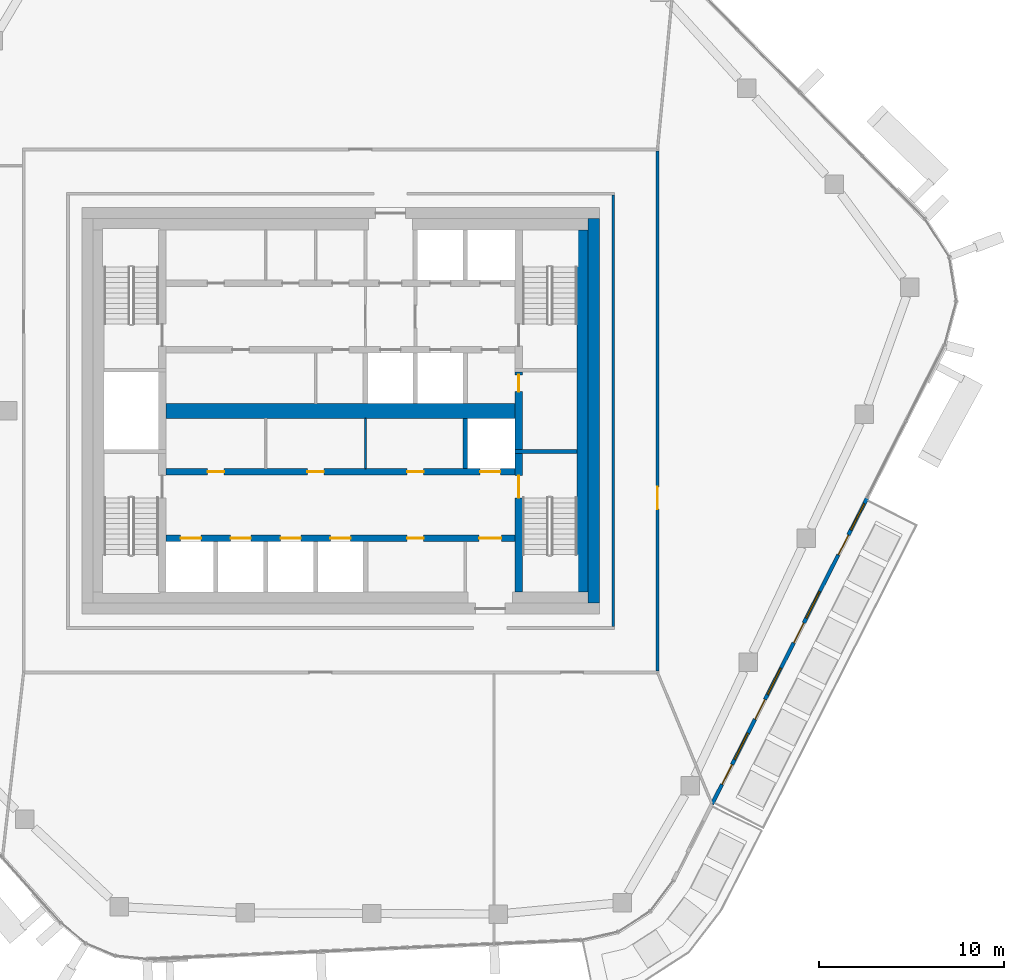
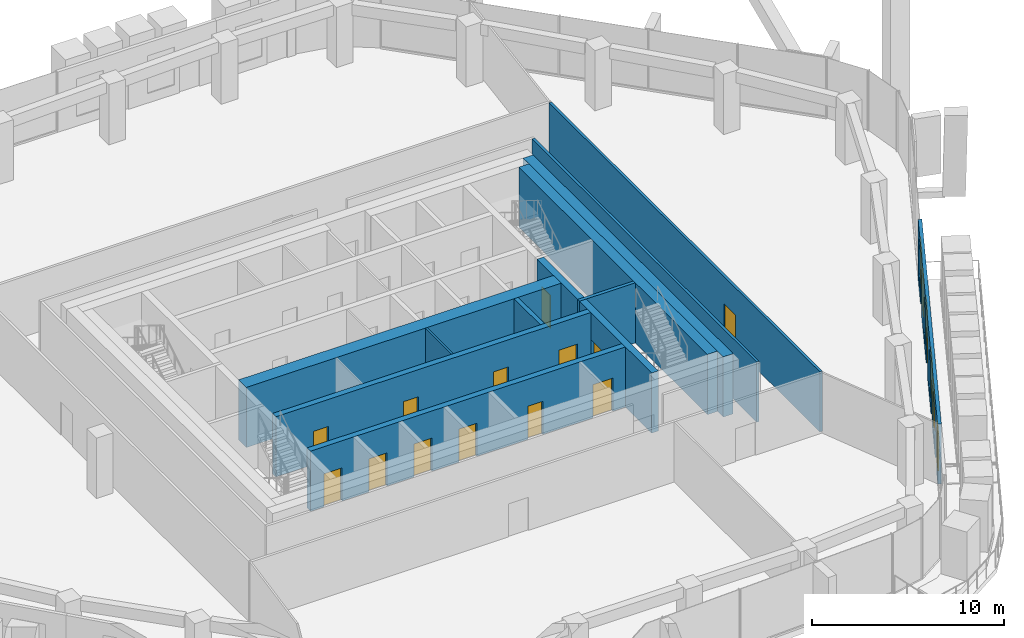
# One storey, part 13 of 23: 17 doors, 13 walls, 4 windows, 21 openings.
"""IFC4 building model written with IfcOpenShell, lengths in metres."""

from ifc_helpers import new_model, si_unit, direction, frame, frame_2d, origin, place, context, subcontext, project, spatial, rectangle, extrude, material, layer, layer_set, type_object, element, fill, save


model = new_model("IFC4")

# Units and contexts
model_context = context("Model", 3, precision=1e-05, world=origin(), true_north=direction((0.0, 1.0)))
body_context = subcontext(model_context, "Body", "Model", "MODEL_VIEW")
ifc_project = project(units=[si_unit("LENGTHUNIT", "METRE"), si_unit("AREAUNIT", "SQUARE_METRE"), si_unit("VOLUMEUNIT", "CUBIC_METRE"), si_unit("PLANEANGLEUNIT", "RADIAN"), si_unit("MASSUNIT", "GRAM", prefix="KILO")], contexts=[model_context])

# Site, building, storey
site_placement = place(None, origin())
site = spatial("IfcSite", under=ifc_project, at=site_placement, CompositionType="ELEMENT")
building_placement = place(site_placement, origin())
building = spatial("IfcBuilding", under=site, at=building_placement, Name="Dongbaek Canopy Tower", CompositionType="ELEMENT")
storey_placement = place(building_placement, frame((0.0, 0.0, 319.39990234375)))
storey = spatial("IfcBuildingStorey", under=building, at=storey_placement, Name="L68", CompositionType="ELEMENT", Elevation=319.39990234375)

# Wall
ifc_material_1 = material(Name="Concrete C60/75", Category="concrete")
ifc_layer_1 = layer(ifc_material_1, 0.800048828125)
ifc_layer_set_1 = layer_set([ifc_layer_1], Name="Core central wall 800 Concrete C60/75")
wall_type_1 = type_object("IfcWallType", Name="Core central wall 800 Concrete C60/75", PredefinedType="SHEAR", material=ifc_layer_set_1)
wall_1_placement = place(storey_placement, frame((-9.449951171875, 0.0, 0.0), z_axis=(0.0, 0.0, 1.0), x_axis=(1.0, 0.0, 0.0)))
element("IfcWall", 1, at=wall_1_placement, inside=storey, type_object=wall_type_1, Name="Core wall", PredefinedType="SHEAR", context=body_context, shape_type="SweptSolid", body=[
    extrude(rectangle(XDim=18.89990234375, YDim=0.800048828125, at=frame_2d((9.449951171875, 0.0))), origin(), (0.0, 0.0, 1.0), 3.820068359375),
])

# Wall, openings, doors
ifc_material_2 = material(Name="Concrete C60/75", Category="concrete")
ifc_layer_2 = layer(ifc_material_2, 0.35009765625)
ifc_layer_set_2 = layer_set([ifc_layer_2], Name="Core lobby wall 350 Concrete C60/75")
wall_type_2 = type_object("IfcWallType", Name="Core lobby wall 350 Concrete C60/75", PredefinedType="SHEAR", material=ifc_layer_set_2)
wall_2_placement = place(storey_placement, frame((-9.449951171875, -3.300048828125, 0.0), z_axis=(0.0, 0.0, 1.0), x_axis=(1.0, 0.0, 0.0)))
wall_2 = element("IfcWall", 2, at=wall_2_placement, inside=storey, type_object=wall_type_2, Name="Core wall", PredefinedType="SHEAR", context=body_context, shape_type="SweptSolid", body=[
    extrude(rectangle(XDim=18.89990234375, YDim=0.35009765625, at=frame_2d((9.449951171875, 0.0))), origin(), (0.0, 0.0, 1.0), 3.820068359375),
])
opening_1_placement = place(wall_2_placement, frame((17.0, 0.0, 0.0)))
opening_1 = element("IfcOpeningElement", 3, at=opening_1_placement, cuts=wall_2, Name="Opening L68-D014", PredefinedType="OPENING", context=body_context, shape_type="SweptSolid", body=[
    extrude(rectangle(XDim=1.10009765625, YDim=2.10009765625, at=frame_2d((0.550048828125, 1.050048828125))), frame((0.0, 0.18505859375, 0.0), z_axis=(0.0, -1.0, 0.0), x_axis=(1.0, 0.0, 0.0)), (0.0, 0.0, 1.0), 0.3701171875),
])
opening_2_placement = place(wall_2_placement, frame((2.25, 0.0, 0.0)))
opening_2 = element("IfcOpeningElement", 4, at=opening_2_placement, cuts=wall_2, Name="Opening L68-D026", PredefinedType="OPENING", context=body_context, shape_type="SweptSolid", body=[
    extrude(rectangle(XDim=0.89990234375, YDim=2.10009765625, at=frame_2d((0.449951171875, 1.050048828125))), frame((0.0, 0.18505859375, 0.0), z_axis=(0.0, -1.0, 0.0), x_axis=(1.0, 0.0, 0.0)), (0.0, 0.0, 1.0), 0.3701171875),
])
opening_3_placement = place(wall_2_placement, frame((7.64990234375, 0.0, 0.0)))
opening_3 = element("IfcOpeningElement", 5, at=opening_3_placement, cuts=wall_2, Name="Opening L68-D027", PredefinedType="OPENING", context=body_context, shape_type="SweptSolid", body=[
    extrude(rectangle(XDim=0.89990234375, YDim=2.10009765625, at=frame_2d((0.449951171875, 1.050048828125))), frame((0.0, 0.18505859375, 0.0), z_axis=(0.0, -1.0, 0.0), x_axis=(1.0, 0.0, 0.0)), (0.0, 0.0, 1.0), 0.3701171875),
])
opening_4_placement = place(wall_2_placement, frame((13.050048828125, 0.0, 0.0)))
opening_4 = element("IfcOpeningElement", 6, at=opening_4_placement, cuts=wall_2, Name="Opening L68-D028", PredefinedType="OPENING", context=body_context, shape_type="SweptSolid", body=[
    extrude(rectangle(XDim=0.89990234375, YDim=2.10009765625, at=frame_2d((0.449951171875, 1.050048828125))), frame((0.0, 0.18505859375, 0.0), z_axis=(0.0, -1.0, 0.0), x_axis=(1.0, 0.0, 0.0)), (0.0, 0.0, 1.0), 0.3701171875),
])
ifc_material_3 = material(Name="Steel", Category="steel")
door_type_1 = type_object("IfcDoorType", Name="Core room door 900 x 2100", OperationType="SINGLE_SWING_LEFT", PredefinedType="DOOR", material=ifc_material_3)
door_1_placement = place(opening_2_placement, origin())
door_1 = element("IfcDoor", 7, at=door_1_placement, inside=storey, type_object=door_type_1, Name="Door L68-D026", OperationType="SINGLE_SWING_LEFT", OverallHeight=2.10009765625, OverallWidth=0.89990234375, PredefinedType="DOOR", context=body_context, shape_type="SweptSolid", body=[
    extrude(rectangle(XDim=0.89990234375, YDim=2.10009765625, at=frame_2d((0.449951171875, 1.050048828125))), frame((0.0, 0.02490234375, 0.0), z_axis=(0.0, -1.0, 0.0), x_axis=(1.0, 0.0, 0.0)), (0.0, 0.0, 1.0), 0.050048828125),
])
fill(opening_2, door_1)
door_2_placement = place(opening_3_placement, origin())
door_2 = element("IfcDoor", 8, at=door_2_placement, inside=storey, type_object=door_type_1, Name="Door L68-D027", OperationType="SINGLE_SWING_RIGHT", OverallHeight=2.10009765625, OverallWidth=0.89990234375, PredefinedType="DOOR", context=body_context, shape_type="SweptSolid", body=[
    extrude(rectangle(XDim=0.89990234375, YDim=2.10009765625, at=frame_2d((0.449951171875, 1.050048828125))), frame((0.0, 0.02490234375, 0.0), z_axis=(0.0, -1.0, 0.0), x_axis=(1.0, 0.0, 0.0)), (0.0, 0.0, 1.0), 0.050048828125),
])
fill(opening_3, door_2)
door_3_placement = place(opening_4_placement, origin())
door_3 = element("IfcDoor", 9, at=door_3_placement, inside=storey, type_object=door_type_1, Name="Door L68-D028", OperationType="SINGLE_SWING_LEFT", OverallHeight=2.10009765625, OverallWidth=0.89990234375, PredefinedType="DOOR", context=body_context, shape_type="SweptSolid", body=[
    extrude(rectangle(XDim=0.89990234375, YDim=2.10009765625, at=frame_2d((0.449951171875, 1.050048828125))), frame((0.0, 0.02490234375, 0.0), z_axis=(0.0, -1.0, 0.0), x_axis=(1.0, 0.0, 0.0)), (0.0, 0.0, 1.0), 0.050048828125),
])
fill(opening_4, door_3)
ifc_material_4 = material(Name="Stainless steel", Category="steel")
door_type_2 = type_object("IfcDoorType", Name="Lift landing door 1100 x 2100", OperationType="DOUBLE_DOOR_SLIDING", PredefinedType="DOOR", material=ifc_material_4)
door_4_placement = place(opening_1_placement, origin())
door_4 = element("IfcDoor", 10, at=door_4_placement, inside=storey, type_object=door_type_2, Name="Landing door SV2", OperationType="DOUBLE_DOOR_SLIDING", OverallHeight=2.10009765625, OverallWidth=1.10009765625, PredefinedType="DOOR", context=body_context, shape_type="SweptSolid", body=[
    extrude(rectangle(XDim=1.10009765625, YDim=2.10009765625, at=frame_2d((0.550048828125, 1.050048828125))), frame((0.0, 0.02490234375, 0.0), z_axis=(0.0, -1.0, 0.0), x_axis=(1.0, 0.0, 0.0)), (0.0, 0.0, 1.0), 0.050048828125),
])
fill(opening_1, door_4)

wall_3_placement = place(storey_placement, frame((9.449951171875, -6.89990234375, 0.0), z_axis=(0.0, 0.0, 1.0), x_axis=(-1.0, 0.0, 0.0)))
wall_3 = element("IfcWall", 11, at=wall_3_placement, inside=storey, type_object=wall_type_2, Name="Core wall", PredefinedType="SHEAR", context=body_context, shape_type="SweptSolid", body=[
    extrude(rectangle(XDim=18.89990234375, YDim=0.35009765625, at=frame_2d((9.449951171875, 0.0))), origin(), (0.0, 0.0, 1.0), 3.820068359375),
])
opening_5_placement = place(wall_3_placement, frame((17.0, 0.0, 0.0)))
opening_5 = element("IfcOpeningElement", 12, at=opening_5_placement, cuts=wall_3, Name="Opening L68-D015", PredefinedType="OPENING", context=body_context, shape_type="SweptSolid", body=[
    extrude(rectangle(XDim=1.10009765625, YDim=2.10009765625, at=frame_2d((0.550048828125, 1.050048828125))), frame((0.0, 0.18505859375, 0.0), z_axis=(0.0, -1.0, 0.0), x_axis=(1.0, 0.0, 0.0)), (0.0, 0.0, 1.0), 0.3701171875),
])
opening_6_placement = place(wall_3_placement, frame((14.300048828125, 0.0, 0.0)))
opening_6 = element("IfcOpeningElement", 13, at=opening_6_placement, cuts=wall_3, Name="Opening L68-D016", PredefinedType="OPENING", context=body_context, shape_type="SweptSolid", body=[
    extrude(rectangle(XDim=1.10009765625, YDim=2.10009765625, at=frame_2d((0.550048828125, 1.050048828125))), frame((0.0, 0.18505859375, 0.0), z_axis=(0.0, -1.0, 0.0), x_axis=(1.0, 0.0, 0.0)), (0.0, 0.0, 1.0), 0.3701171875),
])
opening_7_placement = place(wall_3_placement, frame((11.60009765625, 0.0, 0.0)))
opening_7 = element("IfcOpeningElement", 14, at=opening_7_placement, cuts=wall_3, Name="Opening L68-D017", PredefinedType="OPENING", context=body_context, shape_type="SweptSolid", body=[
    extrude(rectangle(XDim=1.10009765625, YDim=2.10009765625, at=frame_2d((0.550048828125, 1.050048828125))), frame((0.0, 0.18505859375, 0.0), z_axis=(0.0, -1.0, 0.0), x_axis=(1.0, 0.0, 0.0)), (0.0, 0.0, 1.0), 0.3701171875),
])
opening_8_placement = place(wall_3_placement, frame((8.89990234375, 0.0, 0.0)))
opening_8 = element("IfcOpeningElement", 15, at=opening_8_placement, cuts=wall_3, Name="Opening L68-D018", PredefinedType="OPENING", context=body_context, shape_type="SweptSolid", body=[
    extrude(rectangle(XDim=1.10009765625, YDim=2.10009765625, at=frame_2d((0.550048828125, 1.050048828125))), frame((0.0, 0.18505859375, 0.0), z_axis=(0.0, -1.0, 0.0), x_axis=(1.0, 0.0, 0.0)), (0.0, 0.0, 1.0), 0.3701171875),
])
opening_9_placement = place(wall_3_placement, frame((0.75, 0.0, 0.0)))
opening_9 = element("IfcOpeningElement", 16, at=opening_9_placement, cuts=wall_3, Name="Opening L68-D020", PredefinedType="OPENING", context=body_context, shape_type="SweptSolid", body=[
    extrude(rectangle(XDim=1.199951171875, YDim=2.10009765625, at=frame_2d((0.60009765625, 1.050048828125))), frame((0.0, 0.18505859375, 0.0), z_axis=(0.0, -1.0, 0.0), x_axis=(1.0, 0.0, 0.0)), (0.0, 0.0, 1.0), 0.3701171875),
])
opening_10_placement = place(wall_3_placement, frame((4.949951171875, 0.0, 0.0)))
opening_10 = element("IfcOpeningElement", 17, at=opening_10_placement, cuts=wall_3, Name="Opening L68-D029", PredefinedType="OPENING", context=body_context, shape_type="SweptSolid", body=[
    extrude(rectangle(XDim=0.89990234375, YDim=2.10009765625, at=frame_2d((0.449951171875, 1.050048828125))), frame((0.0, 0.18505859375, 0.0), z_axis=(0.0, -1.0, 0.0), x_axis=(1.0, 0.0, 0.0)), (0.0, 0.0, 1.0), 0.3701171875),
])
door_5_placement = place(opening_10_placement, origin())
door_5 = element("IfcDoor", 18, at=door_5_placement, inside=storey, type_object=door_type_1, Name="Door L68-D029", OperationType="SINGLE_SWING_RIGHT", OverallHeight=2.10009765625, OverallWidth=0.89990234375, PredefinedType="DOOR", context=body_context, shape_type="SweptSolid", body=[
    extrude(rectangle(XDim=0.89990234375, YDim=2.10009765625, at=frame_2d((0.449951171875, 1.050048828125))), frame((0.0, 0.02490234375, 0.0), z_axis=(0.0, -1.0, 0.0), x_axis=(1.0, 0.0, 0.0)), (0.0, 0.0, 1.0), 0.050048828125),
])
fill(opening_10, door_5)
ifc_material_5 = material(Name="Steel", Category="steel")
door_type_3 = type_object("IfcDoorType", Name="Fire lobby door 1200 x 2100", OperationType="SINGLE_SWING_LEFT", PredefinedType="DOOR", material=ifc_material_5)
door_6_placement = place(opening_9_placement, origin())
door_6 = element("IfcDoor", 19, at=door_6_placement, inside=storey, type_object=door_type_3, Name="Door L68-D020", OperationType="SINGLE_SWING_LEFT", OverallHeight=2.10009765625, OverallWidth=1.199951171875, PredefinedType="DOOR", context=body_context, shape_type="SweptSolid", body=[
    extrude(rectangle(XDim=1.199951171875, YDim=2.10009765625, at=frame_2d((0.60009765625, 1.050048828125))), frame((0.0, 0.02490234375, 0.0), z_axis=(0.0, -1.0, 0.0), x_axis=(1.0, 0.0, 0.0)), (0.0, 0.0, 1.0), 0.050048828125),
])
fill(opening_9, door_6)
door_7_placement = place(opening_5_placement, origin())
door_7 = element("IfcDoor", 20, at=door_7_placement, inside=storey, type_object=door_type_2, Name="Landing door HR1", OperationType="DOUBLE_DOOR_SLIDING", OverallHeight=2.10009765625, OverallWidth=1.10009765625, PredefinedType="DOOR", context=body_context, shape_type="SweptSolid", body=[
    extrude(rectangle(XDim=1.10009765625, YDim=2.10009765625, at=frame_2d((0.550048828125, 1.050048828125))), frame((0.0, 0.02490234375, 0.0), z_axis=(0.0, -1.0, 0.0), x_axis=(1.0, 0.0, 0.0)), (0.0, 0.0, 1.0), 0.050048828125),
])
fill(opening_5, door_7)
door_8_placement = place(opening_6_placement, origin())
door_8 = element("IfcDoor", 21, at=door_8_placement, inside=storey, type_object=door_type_2, Name="Landing door HR2", OperationType="DOUBLE_DOOR_SLIDING", OverallHeight=2.10009765625, OverallWidth=1.10009765625, PredefinedType="DOOR", context=body_context, shape_type="SweptSolid", body=[
    extrude(rectangle(XDim=1.10009765625, YDim=2.10009765625, at=frame_2d((0.550048828125, 1.050048828125))), frame((0.0, 0.02490234375, 0.0), z_axis=(0.0, -1.0, 0.0), x_axis=(1.0, 0.0, 0.0)), (0.0, 0.0, 1.0), 0.050048828125),
])
fill(opening_6, door_8)
door_9_placement = place(opening_7_placement, origin())
door_9 = element("IfcDoor", 22, at=door_9_placement, inside=storey, type_object=door_type_2, Name="Landing door HR3", OperationType="DOUBLE_DOOR_SLIDING", OverallHeight=2.10009765625, OverallWidth=1.10009765625, PredefinedType="DOOR", context=body_context, shape_type="SweptSolid", body=[
    extrude(rectangle(XDim=1.10009765625, YDim=2.10009765625, at=frame_2d((0.550048828125, 1.050048828125))), frame((0.0, 0.02490234375, 0.0), z_axis=(0.0, -1.0, 0.0), x_axis=(1.0, 0.0, 0.0)), (0.0, 0.0, 1.0), 0.050048828125),
])
fill(opening_7, door_9)
door_10_placement = place(opening_8_placement, origin())
door_10 = element("IfcDoor", 23, at=door_10_placement, inside=storey, type_object=door_type_2, Name="Landing door HR4", OperationType="DOUBLE_DOOR_SLIDING", OverallHeight=2.10009765625, OverallWidth=1.10009765625, PredefinedType="DOOR", context=body_context, shape_type="SweptSolid", body=[
    extrude(rectangle(XDim=1.10009765625, YDim=2.10009765625, at=frame_2d((0.550048828125, 1.050048828125))), frame((0.0, 0.02490234375, 0.0), z_axis=(0.0, -1.0, 0.0), x_axis=(1.0, 0.0, 0.0)), (0.0, 0.0, 1.0), 0.050048828125),
])
fill(opening_8, door_10)

# Walls
ifc_material_6 = material(Name="Concrete C80/95", Category="concrete")
ifc_layer_3 = layer(ifc_material_6, 0.60009765625)
ifc_layer_set_3 = layer_set([ifc_layer_3], Name="Core outer wall 600 Concrete C80/95")
wall_type_3 = type_object("IfcWallType", Name="Core outer wall 600 Concrete C80/95", PredefinedType="SHEAR", material=ifc_layer_set_3)
wall_4_placement = place(storey_placement, frame((13.699951171875, 10.39990234375, 0.0), z_axis=(0.0, 0.0, 1.0), x_axis=(0.0, -1.0, 0.0)))
element("IfcWall", 24, at=wall_4_placement, inside=storey, type_object=wall_type_3, Name="Core wall", PredefinedType="SHEAR", context=body_context, shape_type="SweptSolid", body=[
    extrude(rectangle(XDim=20.7998046875, YDim=0.60009765625, at=frame_2d((10.39990234375, 0.0))), origin(), (0.0, 0.0, 1.0), 3.820068359375),
])
ifc_material_7 = material(Name="Concrete C60/75", Category="concrete")
ifc_layer_4 = layer(ifc_material_7, 0.60009765625)
ifc_layer_set_4 = layer_set([ifc_layer_4], Name="Core wall lining 600 Concrete C60/75")
wall_type_4 = type_object("IfcWallType", Name="Core wall lining 600 Concrete C60/75", PredefinedType="SHEAR", material=ifc_layer_set_4)
wall_5_placement = place(storey_placement, frame((13.10009765625, 9.800048828125, 0.0), z_axis=(0.0, 0.0, 1.0), x_axis=(0.0, -1.0, 0.0)))
element("IfcWall", 25, at=wall_5_placement, inside=storey, type_object=wall_type_4, Name="Core wall lining", PredefinedType="SHEAR", context=body_context, shape_type="SweptSolid", body=[
    extrude(rectangle(XDim=19.60009765625, YDim=0.60009765625, at=frame_2d((9.800048828125, 0.0))), origin(), (0.0, 0.0, 1.0), 3.820068359375),
])

# Wall, opening, door
ifc_material_8 = material(Name="Gypsum board partition, steel stud, 2 x 15 mm fire board", Category="steel")
ifc_layer_5 = layer(ifc_material_8, 0.14990234375)
ifc_layer_set_5 = layer_set([ifc_layer_5], Name="Fire-rated partition 150 gypsum board")
wall_type_5 = type_object("IfcWallType", Name="Fire-rated partition 150 gypsum board", PredefinedType="PARTITIONING", material=ifc_layer_set_5)
wall_6_placement = place(storey_placement, frame((17.14990234375, 14.074951171875, 0.0), z_axis=(0.0, 0.0, 1.0), x_axis=(0.0, -1.0, 0.0)))
wall_6 = element("IfcWall", 26, at=wall_6_placement, inside=storey, type_object=wall_type_5, Name="Corridor partition", PredefinedType="PARTITIONING", context=body_context, shape_type="SweptSolid", body=[
    extrude(rectangle(XDim=28.14990234375, YDim=0.14990234375, at=frame_2d((14.074951171875, 0.0))), origin(), (0.0, 0.0, 1.0), 3.820068359375),
])
opening_11_placement = place(wall_6_placement, frame((18.185791015625, 0.0, 0.0)))
opening_11 = element("IfcOpeningElement", 27, at=opening_11_placement, cuts=wall_6, Name="Opening L68-D004", PredefinedType="OPENING", context=body_context, shape_type="SweptSolid", body=[
    extrude(rectangle(XDim=1.199951171875, YDim=2.10009765625, at=frame_2d((0.60009765625, 1.050048828125))), frame((0.0, 0.0849609375, 0.0), z_axis=(0.0, -1.0, 0.0), x_axis=(1.0, 0.0, 0.0)), (0.0, 0.0, 1.0), 0.169921875),
])
ifc_material_9 = material(Name="Timber veneered door leaf", Category="wood")
door_type_4 = type_object("IfcDoorType", Name="Room door 1200 x 2100", OperationType="SINGLE_SWING_LEFT", PredefinedType="DOOR", material=ifc_material_9)
door_11_placement = place(opening_11_placement, origin())
door_11 = element("IfcDoor", 28, at=door_11_placement, inside=storey, type_object=door_type_4, Name="Door L68-D004", OperationType="SINGLE_SWING_LEFT", OverallHeight=2.10009765625, OverallWidth=1.199951171875, PredefinedType="DOOR", context=body_context, shape_type="SweptSolid", body=[
    extrude(rectangle(XDim=1.199951171875, YDim=2.10009765625, at=frame_2d((0.60009765625, 1.050048828125))), frame((0.0, 0.02490234375, 0.0), z_axis=(0.0, -1.0, 0.0), x_axis=(1.0, 0.0, 0.0)), (0.0, 0.0, 1.0), 0.050048828125),
])
fill(opening_11, door_11)

# Walls
wall_7_placement = place(storey_placement, frame((14.75, -11.675048828125, 0.0), z_axis=(0.0, 0.0, 1.0), x_axis=(0.0, 1.0, 0.0)))
element("IfcWall", 29, at=wall_7_placement, inside=storey, type_object=wall_type_5, Name="Corridor partition", PredefinedType="PARTITIONING", context=body_context, shape_type="SweptSolid", body=[
    extrude(rectangle(XDim=23.35009765625, YDim=0.14990234375, at=frame_2d((11.675048828125, 0.0))), origin(), (0.0, 0.0, 1.0), 3.820068359375),
])
ifc_material_10 = material(Name="Concrete C40/50", Category="concrete")
ifc_layer_6 = layer(ifc_material_10, 0.25)
ifc_layer_set_6 = layer_set([ifc_layer_6], Name="Lift shaft wall 250 Concrete C40/50")
wall_type_6 = type_object("IfcWallType", Name="Lift shaft wall 250 Concrete C40/50", PredefinedType="SOLIDWALL", material=ifc_layer_set_6)
wall_8_placement = place(storey_placement, frame((6.75, -3.125, 0.0), z_axis=(0.0, 0.0, 1.0), x_axis=(0.0, 1.0, 0.0)))
element("IfcWall", 30, at=wall_8_placement, inside=storey, type_object=wall_type_6, Name="Lift shaft wall", PredefinedType="SOLIDWALL", context=body_context, shape_type="SweptSolid", body=[
    extrude(rectangle(XDim=2.72509765625, YDim=0.25, at=frame_2d((1.362548828125, 0.0))), origin(), (0.0, 0.0, 1.0), 3.820068359375),
])
ifc_material_11 = material(Name="Gypsum board partition, steel stud, 2 x 12.5 mm board", Category="steel")
ifc_layer_7 = layer(ifc_material_11, 0.10009765625)
ifc_layer_set_7 = layer_set([ifc_layer_7], Name="Partition 100 gypsum board")
wall_type_7 = type_object("IfcWallType", Name="Partition 100 gypsum board", PredefinedType="PARTITIONING", material=ifc_layer_set_7)
wall_9_placement = place(storey_placement, frame((1.35009765625, -3.125, 0.0), z_axis=(0.0, 0.0, 1.0), x_axis=(0.0, 1.0, 0.0)))
element("IfcWall", 31, at=wall_9_placement, inside=storey, type_object=wall_type_7, Name="Core partition", PredefinedType="PARTITIONING", context=body_context, shape_type="SweptSolid", body=[
    extrude(rectangle(XDim=2.72509765625, YDim=0.10009765625, at=frame_2d((1.362548828125, 0.0))), origin(), (0.0, 0.0, 1.0), 3.820068359375),
])
ifc_material_12 = material(Name="Concrete C60/75", Category="concrete")
ifc_layer_8 = layer(ifc_material_12, 0.199951171875)
ifc_layer_set_8 = layer_set([ifc_layer_8], Name="Riser wall 200 Concrete C60/75")
wall_type_8 = type_object("IfcWallType", Name="Riser wall 200 Concrete C60/75", PredefinedType="SHEAR", material=ifc_layer_set_8)
wall_10_placement = place(storey_placement, frame((9.449951171875, -2.199951171875, 0.0), z_axis=(0.0, 0.0, 1.0), x_axis=(1.0, 0.0, 0.0)))
element("IfcWall", 32, at=wall_10_placement, inside=storey, type_object=wall_type_8, Name="Riser wall", PredefinedType="SHEAR", context=body_context, shape_type="SweptSolid", body=[
    extrude(rectangle(XDim=3.35009765625, YDim=0.199951171875, at=frame_2d((1.675048828125, 0.0))), origin(), (0.0, 0.0, 1.0), 3.820068359375),
])

# Wall, opening, door
ifc_material_13 = material(Name="Concrete C60/75", Category="concrete")
ifc_layer_9 = layer(ifc_material_13, 0.39990234375)
ifc_layer_set_9 = layer_set([ifc_layer_9], Name="Stair wall 400 Concrete C60/75")
wall_type_9 = type_object("IfcWallType", Name="Stair wall 400 Concrete C60/75", PredefinedType="SHEAR", material=ifc_layer_set_9)
wall_11_placement = place(storey_placement, frame((9.64990234375, -2.300048828125, 0.0), z_axis=(0.0, 0.0, 1.0), x_axis=(0.0, -1.0, 0.0)))
wall_11 = element("IfcWall", 33, at=wall_11_placement, inside=storey, type_object=wall_type_9, Name="Stair wall", PredefinedType="SHEAR", context=body_context, shape_type="SweptSolid", body=[
    extrude(rectangle(XDim=7.5, YDim=0.39990234375, at=frame_2d((3.75, 0.0))), origin(), (0.0, 0.0, 1.0), 3.820068359375),
])
opening_12_placement = place(wall_11_placement, frame((1.199951171875, 0.0, 0.0)))
opening_12 = element("IfcOpeningElement", 34, at=opening_12_placement, cuts=wall_11, Name="Opening L68-D032", PredefinedType="OPENING", context=body_context, shape_type="SweptSolid", body=[
    extrude(rectangle(XDim=1.199951171875, YDim=2.10009765625, at=frame_2d((0.60009765625, 1.050048828125))), frame((0.0, 0.2099609375, 0.0), z_axis=(0.0, -1.0, 0.0), x_axis=(1.0, 0.0, 0.0)), (0.0, 0.0, 1.0), 0.419921875),
])
ifc_material_14 = material(Name="Steel", Category="steel")
door_type_5 = type_object("IfcDoorType", Name="Stair door 1200 x 2100", OperationType="SINGLE_SWING_LEFT", PredefinedType="DOOR", material=ifc_material_14)
door_12_placement = place(opening_12_placement, origin())
door_12 = element("IfcDoor", 35, at=door_12_placement, inside=storey, type_object=door_type_5, Name="Stair B door", OperationType="SINGLE_SWING_RIGHT", OverallHeight=2.10009765625, OverallWidth=1.199951171875, PredefinedType="DOOR", context=body_context, shape_type="SweptSolid", body=[
    extrude(rectangle(XDim=1.199951171875, YDim=2.10009765625, at=frame_2d((0.60009765625, 1.050048828125))), frame((0.0, 0.02490234375, 0.0), z_axis=(0.0, -1.0, 0.0), x_axis=(1.0, 0.0, 0.0)), (0.0, 0.0, 1.0), 0.050048828125),
])
fill(opening_12, door_12)

wall_12_placement = place(storey_placement, frame((9.64990234375, 2.10009765625, 0.0), z_axis=(0.0, 0.0, 1.0), x_axis=(0.0, -1.0, 0.0)))
wall_12 = element("IfcWall", 36, at=wall_12_placement, inside=storey, type_object=wall_type_9, Name="Stair wall", PredefinedType="SHEAR", context=body_context, shape_type="SweptSolid", body=[
    extrude(rectangle(XDim=4.2001953125, YDim=0.39990234375, at=frame_2d((2.10009765625, 0.0))), origin(), (0.0, 0.0, 1.0), 3.820068359375),
])
opening_13_placement = place(wall_12_placement, frame((0.14990234375, 0.0, 0.0)))
opening_13 = element("IfcOpeningElement", 37, at=opening_13_placement, cuts=wall_12, Name="Opening L68-D006", PredefinedType="OPENING", context=body_context, shape_type="SweptSolid", body=[
    extrude(rectangle(XDim=0.89990234375, YDim=2.10009765625, at=frame_2d((0.449951171875, 1.050048828125))), frame((0.0, 0.2099609375, 0.0), z_axis=(0.0, -1.0, 0.0), x_axis=(1.0, 0.0, 0.0)), (0.0, 0.0, 1.0), 0.419921875),
])
door_13_placement = place(opening_13_placement, origin())
door_13 = element("IfcDoor", 38, at=door_13_placement, inside=storey, type_object=door_type_1, Name="Door L68-D006", OperationType="SINGLE_SWING_RIGHT", OverallHeight=2.10009765625, OverallWidth=0.89990234375, PredefinedType="DOOR", context=body_context, shape_type="SweptSolid", body=[
    extrude(rectangle(XDim=0.89990234375, YDim=2.10009765625, at=frame_2d((0.449951171875, 1.050048828125))), frame((0.0, 0.02490234375, 0.0), z_axis=(0.0, -1.0, 0.0), x_axis=(1.0, 0.0, 0.0)), (0.0, 0.0, 1.0), 0.050048828125),
])
fill(opening_13, door_13)

# Wall, openings, doors, windows
ifc_material_15 = material(Name="Aluminium window wall", Category="aluminium")
ifc_layer_10 = layer(ifc_material_15, 0.199951171875)
ifc_layer_set_10 = layer_set([ifc_layer_10], Name="Window wall 200")
wall_type_10 = type_object("IfcWallType", Name="Window wall 200", PredefinedType="SOLIDWALL", material=ifc_layer_set_10)
wall_13_placement = place(storey_placement, frame((20.102294921875, -21.27587890625, 0.0), z_axis=(0.0, 0.0, 1.0), x_axis=(0.451966467013, 0.892034927957, 0.0)))
wall_13 = element("IfcWall", 39, at=wall_13_placement, inside=storey, type_object=wall_type_10, Name="Window wall L68 4", PredefinedType="SOLIDWALL", context=body_context, shape_type="SweptSolid", body=[
    extrude(rectangle(XDim=18.570068359375, YDim=0.199951171875, at=frame_2d((9.28515625, 0.0))), origin(), (0.0, 0.0, 1.0), 3.820068359375),
])
opening_14_placement = place(wall_13_placement, frame((2.699951171875, 0.0, 0.60009765625)))
opening_14 = element("IfcOpeningElement", 40, at=opening_14_placement, cuts=wall_13, Name="Opening W1", PredefinedType="OPENING", context=body_context, shape_type="SweptSolid", body=[
    extrude(rectangle(XDim=1.60009765625, YDim=2.39990234375, at=frame_2d((0.800048828125, 1.199951171875))), frame((0.0, 0.10986328125, 0.0), z_axis=(0.0, -1.0, 0.0), x_axis=(1.0, 0.0, 0.0)), (0.0, 0.0, 1.0), 0.219970703125),
])
opening_15_placement = place(wall_13_placement, frame((1.199951171875, 0.0, 0.0)))
opening_15 = element("IfcOpeningElement", 41, at=opening_15_placement, cuts=wall_13, Name="Opening L68-B12", PredefinedType="OPENING", context=body_context, shape_type="SweptSolid", body=[
    extrude(rectangle(XDim=1.199951171875, YDim=2.39990234375, at=frame_2d((0.60009765625, 1.199951171875))), frame((0.0, 0.10986328125, 0.0), z_axis=(0.0, -1.0, 0.0), x_axis=(1.0, 0.0, 0.0)), (0.0, 0.0, 1.0), 0.219970703125),
])
opening_16_placement = place(wall_13_placement, frame((6.642578125, 0.0, 0.60009765625)))
opening_16 = element("IfcOpeningElement", 42, at=opening_16_placement, cuts=wall_13, Name="Opening W1", PredefinedType="OPENING", context=body_context, shape_type="SweptSolid", body=[
    extrude(rectangle(XDim=1.60009765625, YDim=2.39990234375, at=frame_2d((0.800048828125, 1.199951171875))), frame((0.0, 0.10986328125, 0.0), z_axis=(0.0, -1.0, 0.0), x_axis=(1.0, 0.0, 0.0)), (0.0, 0.0, 1.0), 0.219970703125),
])
opening_17_placement = place(wall_13_placement, frame((5.142578125, 0.0, 0.0)))
opening_17 = element("IfcOpeningElement", 43, at=opening_17_placement, cuts=wall_13, Name="Opening L68-B13", PredefinedType="OPENING", context=body_context, shape_type="SweptSolid", body=[
    extrude(rectangle(XDim=1.199951171875, YDim=2.39990234375, at=frame_2d((0.60009765625, 1.199951171875))), frame((0.0, 0.10986328125, 0.0), z_axis=(0.0, -1.0, 0.0), x_axis=(1.0, 0.0, 0.0)), (0.0, 0.0, 1.0), 0.219970703125),
])
opening_18_placement = place(wall_13_placement, frame((11.284912109375, 0.0, 0.60009765625)))
opening_18 = element("IfcOpeningElement", 44, at=opening_18_placement, cuts=wall_13, Name="Opening W1", PredefinedType="OPENING", context=body_context, shape_type="SweptSolid", body=[
    extrude(rectangle(XDim=1.60009765625, YDim=2.39990234375, at=frame_2d((0.800048828125, 1.199951171875))), frame((0.0, 0.10986328125, 0.0), z_axis=(0.0, -1.0, 0.0), x_axis=(1.0, 0.0, 0.0)), (0.0, 0.0, 1.0), 0.219970703125),
])
opening_19_placement = place(wall_13_placement, frame((9.784912109375, 0.0, 0.0)))
opening_19 = element("IfcOpeningElement", 45, at=opening_19_placement, cuts=wall_13, Name="Opening L68-B14", PredefinedType="OPENING", context=body_context, shape_type="SweptSolid", body=[
    extrude(rectangle(XDim=1.199951171875, YDim=2.39990234375, at=frame_2d((0.60009765625, 1.199951171875))), frame((0.0, 0.10986328125, 0.0), z_axis=(0.0, -1.0, 0.0), x_axis=(1.0, 0.0, 0.0)), (0.0, 0.0, 1.0), 0.219970703125),
])
opening_20_placement = place(wall_13_placement, frame((16.62744140625, 0.0, 0.60009765625)))
opening_20 = element("IfcOpeningElement", 46, at=opening_20_placement, cuts=wall_13, Name="Opening W1", PredefinedType="OPENING", context=body_context, shape_type="SweptSolid", body=[
    extrude(rectangle(XDim=1.60009765625, YDim=2.39990234375, at=frame_2d((0.800048828125, 1.199951171875))), frame((0.0, 0.10986328125, 0.0), z_axis=(0.0, -1.0, 0.0), x_axis=(1.0, 0.0, 0.0)), (0.0, 0.0, 1.0), 0.219970703125),
])
opening_21_placement = place(wall_13_placement, frame((15.12744140625, 0.0, 0.0)))
opening_21 = element("IfcOpeningElement", 47, at=opening_21_placement, cuts=wall_13, Name="Opening L68-B15", PredefinedType="OPENING", context=body_context, shape_type="SweptSolid", body=[
    extrude(rectangle(XDim=1.199951171875, YDim=2.39990234375, at=frame_2d((0.60009765625, 1.199951171875))), frame((0.0, 0.10986328125, 0.0), z_axis=(0.0, -1.0, 0.0), x_axis=(1.0, 0.0, 0.0)), (0.0, 0.0, 1.0), 0.219970703125),
])
ifc_material_16 = material(Name="Clear glazing in aluminium frame", Category="aluminium")
door_type_6 = type_object("IfcDoorType", Name="Balcony door BD1 1200 x 2400", OperationType="SLIDING_TO_LEFT", PredefinedType="DOOR", material=ifc_material_16)
door_14_placement = place(opening_15_placement, origin())
door_14 = element("IfcDoor", 48, at=door_14_placement, inside=storey, type_object=door_type_6, Name="Balcony door L68-B12", OperationType="SLIDING_TO_LEFT", OverallHeight=2.39990234375, OverallWidth=1.199951171875, PredefinedType="DOOR", context=body_context, shape_type="SweptSolid", body=[
    extrude(rectangle(XDim=1.199951171875, YDim=2.39990234375, at=frame_2d((0.60009765625, 1.199951171875))), frame((0.0, 0.02490234375, 0.0), z_axis=(0.0, -1.0, 0.0), x_axis=(1.0, 0.0, 0.0)), (0.0, 0.0, 1.0), 0.050048828125),
])
fill(opening_15, door_14)
door_15_placement = place(opening_17_placement, origin())
door_15 = element("IfcDoor", 49, at=door_15_placement, inside=storey, type_object=door_type_6, Name="Balcony door L68-B13", OperationType="SLIDING_TO_LEFT", OverallHeight=2.39990234375, OverallWidth=1.199951171875, PredefinedType="DOOR", context=body_context, shape_type="SweptSolid", body=[
    extrude(rectangle(XDim=1.199951171875, YDim=2.39990234375, at=frame_2d((0.60009765625, 1.199951171875))), frame((0.0, 0.02490234375, 0.0), z_axis=(0.0, -1.0, 0.0), x_axis=(1.0, 0.0, 0.0)), (0.0, 0.0, 1.0), 0.050048828125),
])
fill(opening_17, door_15)
door_16_placement = place(opening_19_placement, origin())
door_16 = element("IfcDoor", 50, at=door_16_placement, inside=storey, type_object=door_type_6, Name="Balcony door L68-B14", OperationType="SLIDING_TO_LEFT", OverallHeight=2.39990234375, OverallWidth=1.199951171875, PredefinedType="DOOR", context=body_context, shape_type="SweptSolid", body=[
    extrude(rectangle(XDim=1.199951171875, YDim=2.39990234375, at=frame_2d((0.60009765625, 1.199951171875))), frame((0.0, 0.02490234375, 0.0), z_axis=(0.0, -1.0, 0.0), x_axis=(1.0, 0.0, 0.0)), (0.0, 0.0, 1.0), 0.050048828125),
])
fill(opening_19, door_16)
door_17_placement = place(opening_21_placement, origin())
door_17 = element("IfcDoor", 51, at=door_17_placement, inside=storey, type_object=door_type_6, Name="Balcony door L68-B15", OperationType="SLIDING_TO_LEFT", OverallHeight=2.39990234375, OverallWidth=1.199951171875, PredefinedType="DOOR", context=body_context, shape_type="SweptSolid", body=[
    extrude(rectangle(XDim=1.199951171875, YDim=2.39990234375, at=frame_2d((0.60009765625, 1.199951171875))), frame((0.0, 0.02490234375, 0.0), z_axis=(0.0, -1.0, 0.0), x_axis=(1.0, 0.0, 0.0)), (0.0, 0.0, 1.0), 0.050048828125),
])
fill(opening_21, door_17)
ifc_material_17 = material(Name="Clear glazing in aluminium frame", Category="aluminium")
window_type = type_object("IfcWindowType", Name="Window W1 1600 x 2400", PartitioningType="SINGLE_PANEL", PredefinedType="WINDOW", material=ifc_material_17)
window_1_placement = place(opening_14_placement, origin())
window_1 = element("IfcWindow", 52, at=window_1_placement, inside=storey, type_object=window_type, Name="Window L68 4.1", OverallHeight=2.39990234375, OverallWidth=1.60009765625, PartitioningType="SINGLE_PANEL", PredefinedType="WINDOW", context=body_context, shape_type="SweptSolid", body=[
    extrude(rectangle(XDim=1.60009765625, YDim=2.39990234375, at=frame_2d((0.800048828125, 1.199951171875))), frame((0.0, 0.030029296875, 0.0), z_axis=(0.0, -1.0, 0.0), x_axis=(1.0, 0.0, 0.0)), (0.0, 0.0, 1.0), 0.06005859375),
])
fill(opening_14, window_1)
window_2_placement = place(opening_16_placement, origin())
window_2 = element("IfcWindow", 53, at=window_2_placement, inside=storey, type_object=window_type, Name="Window L68 4.2", OverallHeight=2.39990234375, OverallWidth=1.60009765625, PartitioningType="SINGLE_PANEL", PredefinedType="WINDOW", context=body_context, shape_type="SweptSolid", body=[
    extrude(rectangle(XDim=1.60009765625, YDim=2.39990234375, at=frame_2d((0.800048828125, 1.199951171875))), frame((0.0, 0.030029296875, 0.0), z_axis=(0.0, -1.0, 0.0), x_axis=(1.0, 0.0, 0.0)), (0.0, 0.0, 1.0), 0.06005859375),
])
fill(opening_16, window_2)
window_3_placement = place(opening_18_placement, origin())
window_3 = element("IfcWindow", 54, at=window_3_placement, inside=storey, type_object=window_type, Name="Window L68 4.3", OverallHeight=2.39990234375, OverallWidth=1.60009765625, PartitioningType="SINGLE_PANEL", PredefinedType="WINDOW", context=body_context, shape_type="SweptSolid", body=[
    extrude(rectangle(XDim=1.60009765625, YDim=2.39990234375, at=frame_2d((0.800048828125, 1.199951171875))), frame((0.0, 0.030029296875, 0.0), z_axis=(0.0, -1.0, 0.0), x_axis=(1.0, 0.0, 0.0)), (0.0, 0.0, 1.0), 0.06005859375),
])
fill(opening_18, window_3)
window_4_placement = place(opening_20_placement, origin())
window_4 = element("IfcWindow", 55, at=window_4_placement, inside=storey, type_object=window_type, Name="Window L68 4.4", OverallHeight=2.39990234375, OverallWidth=1.60009765625, PartitioningType="SINGLE_PANEL", PredefinedType="WINDOW", context=body_context, shape_type="SweptSolid", body=[
    extrude(rectangle(XDim=1.60009765625, YDim=2.39990234375, at=frame_2d((0.800048828125, 1.199951171875))), frame((0.0, 0.030029296875, 0.0), z_axis=(0.0, -1.0, 0.0), x_axis=(1.0, 0.0, 0.0)), (0.0, 0.0, 1.0), 0.06005859375),
])
fill(opening_20, window_4)

save(model, "model.ifc")
